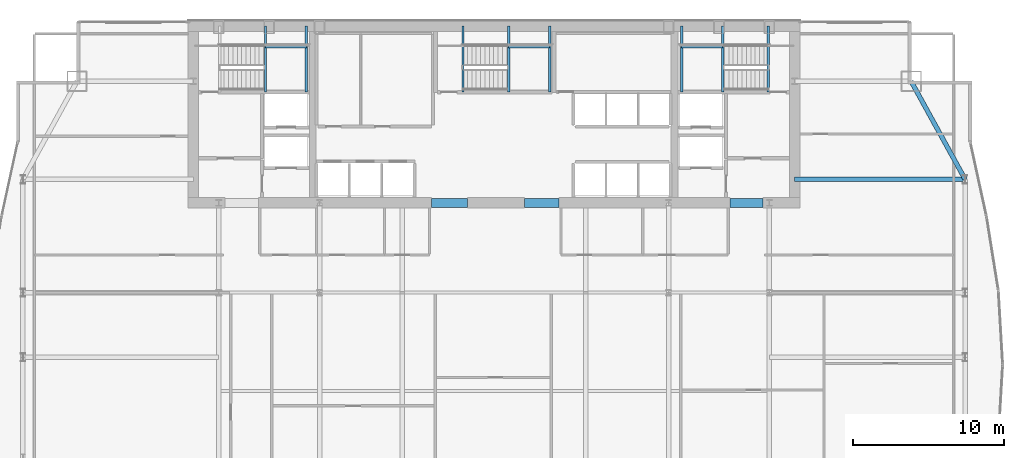
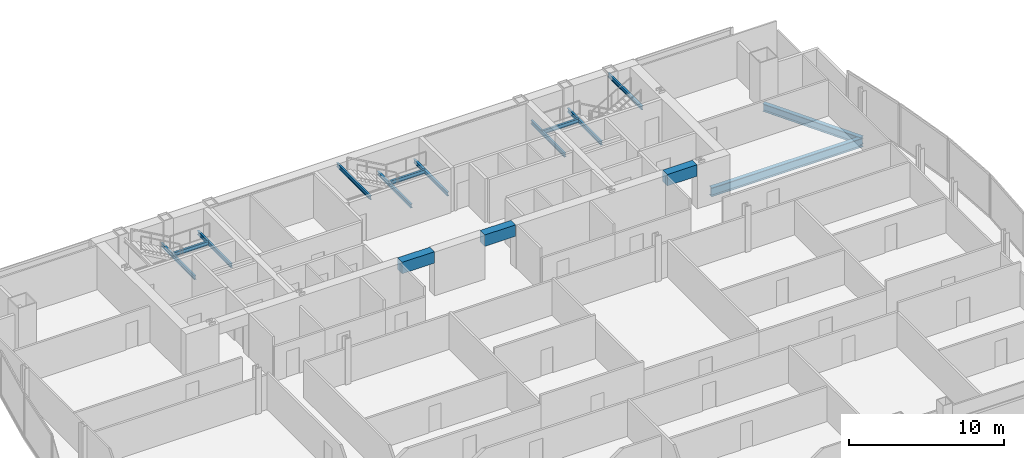
# One storey, part 19 of 29: 16 beams.
"""IFC4 building model written with IfcOpenShell, lengths in metres."""

import ifcopenshell
import ifcopenshell.guid

model = None  # the IFC model being written
_history = None  # IfcOwnerHistory: only IFC2X3 demands one
_inside = {}  # id of a spatial element -> (the spatial element, [elements in it])
_under = {}  # id of a project, library or spatial element -> (it, [spatial elements below it])
_declared = {}  # id of a project -> (the project, [libraries it declares])
_typed = {}  # id of a type object -> (the type object, [elements of that type])
_made_of = {}  # id of a material, layer set ... -> (it, [elements and type objects made of it])


def new_model(schema):
    """Start an empty IFC model of exactly this schema.

    Asked for "IFC4X3", IfcOpenShell would pick the latest addendum, in which some entities
    have other attributes; the version numbers below select the first issue.
    IFC2X3 requires an IfcOwnerHistory on every rooted entity: one is made here for all.
    """
    global model, _history
    if schema == "IFC4X3":
        model = ifcopenshell.file(schema_version=(4, 3, 0, 0))
    else:
        model = ifcopenshell.file(schema=schema)
    _inside.clear()
    _under.clear()
    _declared.clear()
    _typed.clear()
    _made_of.clear()
    _history = None
    if model.schema == "IFC2X3":
        org = make("IfcOrganization", Name="unknown")
        user = make(
            "IfcPersonAndOrganization",
            ThePerson=make("IfcPerson", FamilyName="unknown"),
            TheOrganization=org,
        )
        app = make(
            "IfcApplication",
            ApplicationDeveloper=org,
            Version="unknown",
            ApplicationFullName="unknown",
            ApplicationIdentifier="unknown",
        )
        _history = make(
            "IfcOwnerHistory",
            OwningUser=user,
            OwningApplication=app,
            ChangeAction="ADDED",
            CreationDate=0,
        )
    return model


def make(cls, **values):
    """One entity of the class cls with the attributes given. An attribute that is None is left unset."""
    return model.create_entity(
        cls, **{name: value for name, value in values.items() if value is not None}
    )


def rooted(cls, **values):
    """An entity with a GlobalId (a new one), such as an element, a storey or a relation."""
    return make(cls, GlobalId=ifcopenshell.guid.new(), OwnerHistory=_history, **values)


def si_unit(unit_type, name, prefix=None):
    """IfcSIUnit, for example si_unit("LENGTHUNIT", "METRE", prefix="MILLI")."""
    return make("IfcSIUnit", UnitType=unit_type, Prefix=prefix, Name=name)


def assignment(units):
    """IfcUnitAssignment: the units of a project."""
    return None if units is None else make("IfcUnitAssignment", Units=units)


def point(xyz):
    """IfcCartesianPoint."""
    return None if xyz is None else make("IfcCartesianPoint", Coordinates=xyz)


def direction(xyz):
    """IfcDirection."""
    return None if xyz is None else make("IfcDirection", DirectionRatios=xyz)


def frame(location, z_axis=None, x_axis=None):
    """IfcAxis2Placement3D, a coordinate frame: its origin and axes. An axis left out is left unset."""
    return make(
        "IfcAxis2Placement3D",
        Location=point(location),
        Axis=direction(z_axis),
        RefDirection=direction(x_axis),
    )


def frame_2d(location, x_axis=None):
    """IfcAxis2Placement2D, a coordinate frame in the plane: its origin and x axis."""
    return make(
        "IfcAxis2Placement2D", Location=point(location), RefDirection=direction(x_axis)
    )


def origin():
    """The frame at (0, 0, 0) with its axes left unset."""
    return frame((0.0, 0.0, 0.0))


def origin_2d():
    """The frame at (0, 0) in the plane with its x axis left unset."""
    return frame_2d((0.0, 0.0))


def place(relative_to, where):
    """IfcLocalPlacement: puts the frame where relative to a parent placement (None: the world)."""
    return make(
        "IfcLocalPlacement", PlacementRelTo=relative_to, RelativePlacement=where
    )


def context(
    kind, dimensions, precision=None, world=None, true_north=None, identifier=None
):
    """IfcGeometricRepresentationContext, for example the 3D "Model" context."""
    return make(
        "IfcGeometricRepresentationContext",
        ContextIdentifier=identifier,
        ContextType=kind,
        CoordinateSpaceDimension=dimensions,
        Precision=precision,
        WorldCoordinateSystem=world,
        TrueNorth=true_north,
    )


def subcontext(parent, identifier, kind, view, scale=None):
    """IfcGeometricRepresentationSubContext, for example "Body" below "Model"."""
    return make(
        "IfcGeometricRepresentationSubContext",
        ContextIdentifier=identifier,
        ContextType=kind,
        ParentContext=parent,
        TargetScale=scale,
        TargetView=view,
    )


def project(units=None, contexts=None):
    """IfcProject with its units and contexts."""
    return rooted(
        "IfcProject",
        Name="project",
        RepresentationContexts=contexts,
        UnitsInContext=assignment(units),
    )


def spatial(cls, under=None, at=None, **own):
    """A site, building, storey or space (cls), placed at a placement, below another one or the project."""
    s = rooted(cls, ObjectPlacement=at, **own)
    if under is not None:
        _under.setdefault(under.id(), (under, []))[1].append(s)
    return s


def profile(cls, at=None, kind="AREA", **sizes):
    """A parametric profile (cls). Its sizes go by their IFC names, for example OverallWidth=200.0."""
    return make(cls, ProfileType=kind, Position=at, **sizes)


def rectangle(**sizes):
    """IfcRectangleProfileDef."""
    return profile("IfcRectangleProfileDef", **sizes)


def i_section(**sizes):
    """IfcIShapeProfileDef."""
    return profile("IfcIShapeProfileDef", **sizes)


def extrude(swept, where, along, depth):
    """IfcExtrudedAreaSolid: the profile swept, set in the frame where, extruded along a direction by depth."""
    return make(
        "IfcExtrudedAreaSolid",
        SweptArea=swept,
        Position=where,
        ExtrudedDirection=direction(along),
        Depth=depth,
    )


def shape(context_of_items, identifier, shape_type, items):
    """IfcShapeRepresentation: the items that make up one representation, for example the "Body"."""
    return make(
        "IfcShapeRepresentation",
        ContextOfItems=context_of_items,
        RepresentationIdentifier=identifier,
        RepresentationType=shape_type,
        Items=items,
    )


def material(Name=None, Category=None):
    """IfcMaterial."""
    return make("IfcMaterial", Name=Name, Category=Category)


def material_profile(
    of_material, cross_section, Name=None, Category=None, Priority=None
):
    """IfcMaterialProfile: a cross section and its material."""
    return make(
        "IfcMaterialProfile",
        Name=Name,
        Material=of_material,
        Profile=cross_section,
        Priority=Priority,
        Category=Category,
    )


def profile_set(profiles, Name=None, composite=None):
    """IfcMaterialProfileSet."""
    return make(
        "IfcMaterialProfileSet",
        Name=Name,
        MaterialProfiles=profiles,
        CompositeProfile=composite,
    )


def made_of(thing, what):
    """Note that an element or type object is made of a material, layer set ...; save() writes the relation."""
    if what is not None:
        _made_of.setdefault(what.id(), (what, []))[1].append(thing)
    return thing


def type_object(cls, material=None, **own):
    """A type object (cls), such as IfcWallType, which elements share."""
    return made_of(rooted(cls, **own), material)


def element(
    cls,
    number,
    at=None,
    inside=None,
    cuts=None,
    type_object=None,
    material=None,
    context=None,
    identifier="Body",
    shape_type=None,
    held_by="IfcProductDefinitionShape",
    body=None,
    shapes=None,
    **own,
):
    """One element of the class cls, such as IfcWall. Its Tag is "e" and its number.

    at: its placement. inside: the storey or other place that contains it. cuts: it is an
    opening in that element (IfcRelVoidsElement). A single representation is given by context,
    identifier, shape_type and body (its items); several are given by shapes. held_by: the class
    of the entity that holds the representations. save() writes the other relations.
    """
    e = rooted(cls, Tag="e%d" % number, ObjectPlacement=at, **own)
    if body is not None:
        shapes = [shape(context, identifier, shape_type, body)]
    if shapes is not None:
        e.Representation = make(held_by, Representations=shapes)
    if inside is not None:
        _inside.setdefault(inside.id(), (inside, []))[1].append(e)
    if cuts is not None:
        rooted(
            "IfcRelVoidsElement", RelatingBuildingElement=cuts, RelatedOpeningElement=e
        )
    if type_object is not None:
        _typed.setdefault(type_object.id(), (type_object, []))[1].append(e)
    return made_of(e, material)


def aggregate(whole, parts):
    """IfcRelAggregates: a whole, such as a stair, and the parts it consists of."""
    return rooted("IfcRelAggregates", RelatingObject=whole, RelatedObjects=parts)


def save(model, path):
    """Write the relations noted so far, then the file.

    IfcRelAggregates (storeys below a building ...), IfcRelContainedInSpatialStructure (elements
    in a storey), IfcRelDefinesByType, IfcRelAssociatesMaterial and IfcRelDeclares: one each for
    every whole, place, type object, material and project.
    """
    for whole, parts in _under.values():
        aggregate(whole, parts)
    for where, things in _inside.values():
        rooted(
            "IfcRelContainedInSpatialStructure",
            RelatedElements=things,
            RelatingStructure=where,
        )
    for kind, things in _typed.values():
        rooted("IfcRelDefinesByType", RelatedObjects=things, RelatingType=kind)
    for what, things in _made_of.values():
        rooted("IfcRelAssociatesMaterial", RelatedObjects=things, RelatingMaterial=what)
    for by, libraries in _declared.values():
        rooted("IfcRelDeclares", RelatingContext=by, RelatedDefinitions=libraries)
    model.write(path)


model = new_model("IFC4")

# Units and contexts
model_context = context("Model", 3, precision=1e-05, world=origin(), true_north=direction((0.0, 1.0)))
body_context = subcontext(model_context, "Body", "Model", "MODEL_VIEW")
ifc_project = project(units=[si_unit("LENGTHUNIT", "METRE"), si_unit("AREAUNIT", "SQUARE_METRE"), si_unit("VOLUMEUNIT", "CUBIC_METRE"), si_unit("PLANEANGLEUNIT", "RADIAN"), si_unit("MASSUNIT", "GRAM", prefix="KILO")], contexts=[model_context])

# Site, building, storey
site_placement = place(None, origin())
site = spatial("IfcSite", under=ifc_project, at=site_placement, CompositionType="ELEMENT")
building_placement = place(site_placement, origin())
building = spatial("IfcBuilding", under=site, at=building_placement, Name="Khoronbel Lancet Exchange", CompositionType="ELEMENT")
storey_placement = place(building_placement, frame((0.0, 0.0, 161.39990234375)))
storey = spatial("IfcBuildingStorey", under=building, at=storey_placement, Name="L40", CompositionType="ELEMENT", Elevation=161.39990234375)

# Beams
ifc_material_1 = material(Name="Steel S355", Category="steel")
ifc_material_profile_1 = material_profile(ifc_material_1, i_section(OverallWidth=0.300048828125, OverallDepth=0.699951171875, WebThickness=0.01708984375, FlangeThickness=0.031982421875, at=origin_2d()), Name="HEB 700")
ifc_profile_set_1 = profile_set([ifc_material_profile_1], Name="Steel S355")
beam_type_1 = type_object("IfcBeamType", Name="BM-BG3", PredefinedType="BEAM", material=ifc_profile_set_1)
beam_1_placement = place(storey_placement, frame((56.35009765625, 43.199951171875, -0.510009765625), z_axis=(1.0, 0.0, 0.0), x_axis=(0.0, 1.0, 0.0)))
element("IfcBeam", 1, at=beam_1_placement, inside=storey, type_object=beam_type_1, Name="Level L40 east lens tie girder LG3E", PredefinedType="BEAM", context=body_context, shape_type="SweptSolid", body=[
    extrude(i_section(OverallWidth=0.300048828125, OverallDepth=0.699951171875, WebThickness=0.01708984375, FlangeThickness=0.031982421875, at=origin_2d()), origin(), (0.0, 0.0, 1.0), 11.27978515625),
])
ifc_material_profile_2 = material_profile(ifc_material_1, i_section(OverallWidth=0.14990234375, OverallDepth=0.300048828125, WebThickness=0.007080078125, FlangeThickness=0.0107421875, at=origin_2d()), Name="IPE 300")
ifc_profile_set_2 = profile_set([ifc_material_profile_2], Name="Steel S355")
beam_type_2 = type_object("IfcBeamType", Name="BM-BJ8", PredefinedType="JOIST", material=ifc_profile_set_2)
for number, where, z_axis, x_axis, name in (
    (2, (21.320068359375, 48.97998046875, 1.4501953125), (0.0, 1.0, 0.0), (-1.0, 0.0, 0.0), "Level L40 stair ST1 landing bearer beam 1"),
    (3, (24.030029296875, 48.97998046875, 1.4501953125), (0.0, 1.0, 0.0), (-1.0, 0.0, 0.0), "Level L40 stair ST1 rear landing bearer beam 1"),
):
    element("IfcBeam", number, at=place(storey_placement, frame(where, z_axis=z_axis, x_axis=x_axis)), inside=storey, type_object=beam_type_2, Name=name, PredefinedType="JOIST", context=body_context, shape_type="SweptSolid", body=[
        extrude(i_section(OverallWidth=0.14990234375, OverallDepth=0.300048828125, WebThickness=0.007080078125, FlangeThickness=0.0107421875, at=origin_2d()), origin(), (0.0, 0.0, 1.0), 4.3701171875),
    ])
beam_2_placement = place(storey_placement, frame((21.320068359375, 51.97998046875, 1.4501953125), z_axis=(1.0, 0.0, 0.0), x_axis=(0.0, 1.0, 0.0)))
element("IfcBeam", 4, at=beam_2_placement, inside=storey, type_object=beam_type_2, Name="Level L40 stair ST1 landing cross trimmer beam 1", PredefinedType="JOIST", context=body_context, shape_type="SweptSolid", body=[
    extrude(i_section(OverallWidth=0.14990234375, OverallDepth=0.300048828125, WebThickness=0.007080078125, FlangeThickness=0.0107421875, at=origin_2d()), origin(), (0.0, 0.0, 1.0), 2.7099609375),
])
for number, where, z_axis, x_axis, name in (
    (5, (51.580078125, 48.97998046875, 1.4501953125), (0.0, 1.0, 0.0), (-1.0, 0.0, 0.0), "Level L40 stair ST2 landing bearer beam 1"),
    (6, (48.8701171875, 48.97998046875, 1.4501953125), (0.0, 1.0, 0.0), (-1.0, 0.0, 0.0), "Level L40 stair ST2 rear landing bearer beam 1"),
):
    element("IfcBeam", number, at=place(storey_placement, frame(where, z_axis=z_axis, x_axis=x_axis)), inside=storey, type_object=beam_type_2, Name=name, PredefinedType="JOIST", context=body_context, shape_type="SweptSolid", body=[
        extrude(i_section(OverallWidth=0.14990234375, OverallDepth=0.300048828125, WebThickness=0.007080078125, FlangeThickness=0.0107421875, at=origin_2d()), origin(), (0.0, 0.0, 1.0), 4.3701171875),
    ])
beam_3_placement = place(storey_placement, frame((48.8701171875, 51.97998046875, 1.4501953125), z_axis=(1.0, 0.0, 0.0), x_axis=(0.0, 1.0, 0.0)))
element("IfcBeam", 7, at=beam_3_placement, inside=storey, type_object=beam_type_2, Name="Level L40 stair ST2 landing cross trimmer beam 1", PredefinedType="JOIST", context=body_context, shape_type="SweptSolid", body=[
    extrude(i_section(OverallWidth=0.14990234375, OverallDepth=0.300048828125, WebThickness=0.007080078125, FlangeThickness=0.0107421875, at=origin_2d()), origin(), (0.0, 0.0, 1.0), 2.7099609375),
])
for number, where, z_axis, x_axis, name in (
    (8, (54.60009765625, 48.97998046875, 3.16015625), (0.0, 1.0, 0.0), (-1.0, 0.0, 0.0), "Level L40 stair ST2 upper-flight arrival trimmer beam"),
    (9, (37.419921875, 48.97998046875, 1.4501953125), (0.0, 1.0, 0.0), (-1.0, 0.0, 0.0), "Level L40 stair ST3 landing bearer beam 1"),
    (10, (40.1298828125, 48.97998046875, 1.4501953125), (0.0, 1.0, 0.0), (-1.0, 0.0, 0.0), "Level L40 stair ST3 rear landing bearer beam 1"),
):
    element("IfcBeam", number, at=place(storey_placement, frame(where, z_axis=z_axis, x_axis=x_axis)), inside=storey, type_object=beam_type_2, Name=name, PredefinedType="JOIST", context=body_context, shape_type="SweptSolid", body=[
        extrude(i_section(OverallWidth=0.14990234375, OverallDepth=0.300048828125, WebThickness=0.007080078125, FlangeThickness=0.0107421875, at=origin_2d()), origin(), (0.0, 0.0, 1.0), 4.3701171875),
    ])
beam_4_placement = place(storey_placement, frame((37.419921875, 51.97998046875, 1.4501953125), z_axis=(1.0, 0.0, 0.0), x_axis=(0.0, 1.0, 0.0)))
element("IfcBeam", 11, at=beam_4_placement, inside=storey, type_object=beam_type_2, Name="Level L40 stair ST3 landing cross trimmer beam 1", PredefinedType="JOIST", context=body_context, shape_type="SweptSolid", body=[
    extrude(i_section(OverallWidth=0.14990234375, OverallDepth=0.300048828125, WebThickness=0.007080078125, FlangeThickness=0.0107421875, at=origin_2d()), origin(), (0.0, 0.0, 1.0), 2.7099609375),
])
beam_5_placement = place(storey_placement, frame((34.39990234375, 48.97998046875, 3.16015625), z_axis=(0.0, 1.0, 0.0), x_axis=(-1.0, 0.0, 0.0)))
element("IfcBeam", 12, at=beam_5_placement, inside=storey, type_object=beam_type_2, Name="Level L40 stair ST3 upper-flight arrival trimmer beam", PredefinedType="JOIST", context=body_context, shape_type="SweptSolid", body=[
    extrude(i_section(OverallWidth=0.14990234375, OverallDepth=0.300048828125, WebThickness=0.007080078125, FlangeThickness=0.0107421875, at=origin_2d()), origin(), (0.0, 0.0, 1.0), 4.3701171875),
])
ifc_material_2 = material(Name="Concrete C80/95", Category="concrete")
ifc_material_profile_3 = material_profile(ifc_material_2, rectangle(XDim=0.60009765625, YDim=0.89990234375, at=origin_2d()), Name="RC 600x900")
ifc_profile_set_3 = profile_set([ifc_material_profile_3], Name="Concrete C80/95")
beam_type_3 = type_object("IfcBeamType", Name="BM-BL1", PredefinedType="LINTEL", material=ifc_profile_set_3)
beam_6_placement = place(storey_placement, frame((32.300048828125, 41.64990234375, 2.989990234375), z_axis=(1.0, 0.0, 0.0), x_axis=(0.0, 1.0, 0.0)))
element("IfcBeam", 13, at=beam_6_placement, inside=storey, type_object=beam_type_3, Name="Level L40 rear core coupling lintel L2", PredefinedType="LINTEL", context=body_context, shape_type="SweptSolid", body=[
    extrude(rectangle(XDim=0.60009765625, YDim=0.89990234375, at=origin_2d()), origin(), (0.0, 0.0, 1.0), 2.39990234375),
])
beam_7_placement = place(storey_placement, frame((38.449951171875, 41.64990234375, 2.989990234375), z_axis=(1.0, 0.0, 0.0), x_axis=(0.0, 1.0, 0.0)))
element("IfcBeam", 14, at=beam_7_placement, inside=storey, type_object=beam_type_3, Name="Level L40 rear core coupling lintel L3", PredefinedType="LINTEL", context=body_context, shape_type="SweptSolid", body=[
    extrude(rectangle(XDim=0.60009765625, YDim=0.89990234375, at=origin_2d()), origin(), (0.0, 0.0, 1.0), 2.300048828125),
])
beam_8_placement = place(storey_placement, frame((52.050048828125, 41.64990234375, 2.989990234375), z_axis=(1.0, 0.0, 0.0), x_axis=(0.0, 1.0, 0.0)))
element("IfcBeam", 15, at=beam_8_placement, inside=storey, type_object=beam_type_3, Name="Level L40 rear core coupling lintel L4", PredefinedType="LINTEL", context=body_context, shape_type="SweptSolid", body=[
    extrude(rectangle(XDim=0.60009765625, YDim=0.89990234375, at=origin_2d()), origin(), (0.0, 0.0, 1.0), 2.199951171875),
])
ifc_material_profile_4 = material_profile(ifc_material_1, i_section(OverallWidth=0.300048828125, OverallDepth=0.60009765625, WebThickness=0.015380859375, FlangeThickness=0.030029296875, at=origin_2d()), Name="HEB 600")
ifc_profile_set_4 = profile_set([ifc_material_profile_4], Name="Steel S355")
beam_type_4 = type_object("IfcBeamType", Name="BM-BSP2", PredefinedType="SPANDREL", material=ifc_profile_set_4)
beam_9_placement = place(storey_placement, frame((67.6298828125, 43.199951171875, -0.4599609375), z_axis=(-0.482418808117, 0.875940690672, 0.0), x_axis=(-0.875940690672, -0.482418808117, 0.0)))
element("IfcBeam", 16, at=beam_9_placement, inside=storey, type_object=beam_type_4, Name="Level L40 perimeter spandrel beam SP15", PredefinedType="SPANDREL", context=body_context, shape_type="SweptSolid", body=[
    extrude(i_section(OverallWidth=0.300048828125, OverallDepth=0.60009765625, WebThickness=0.015380859375, FlangeThickness=0.030029296875, at=origin_2d()), origin(), (0.0, 0.0, 1.0), 7.420654296875),
])

save(model, "model.ifc")
